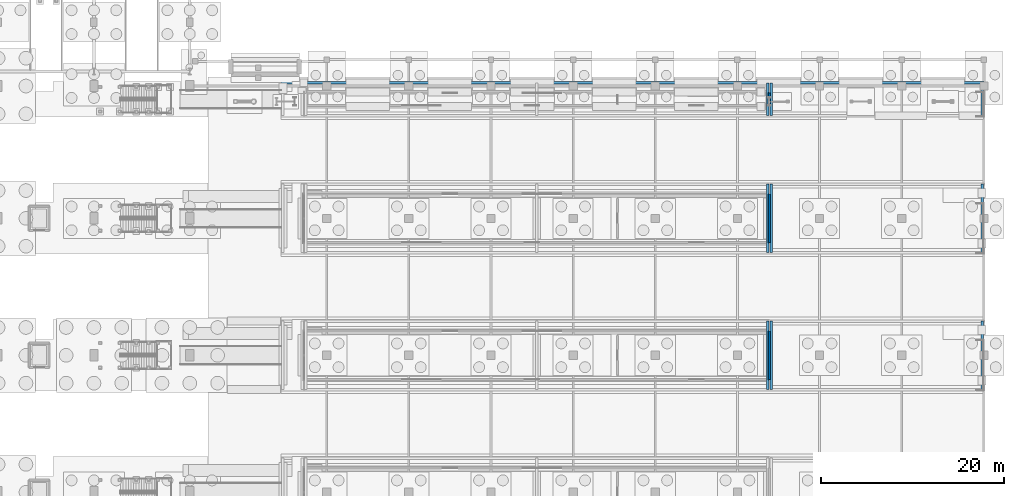
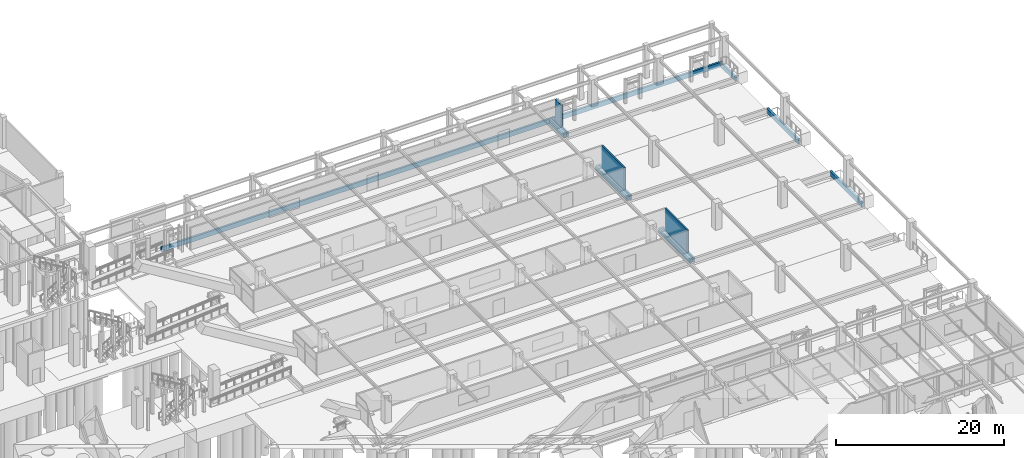
# One storey, part 113 of 160: 13 walls.
"""IFC4 building model written with IfcOpenShell, lengths in metres."""

import ifcopenshell
import ifcopenshell.guid

model = None  # the IFC model being written
_history = None  # IfcOwnerHistory: only IFC2X3 demands one
_inside = {}  # id of a spatial element -> (the spatial element, [elements in it])
_under = {}  # id of a project, library or spatial element -> (it, [spatial elements below it])
_declared = {}  # id of a project -> (the project, [libraries it declares])
_typed = {}  # id of a type object -> (the type object, [elements of that type])
_made_of = {}  # id of a material, layer set ... -> (it, [elements and type objects made of it])


def new_model(schema):
    """Start an empty IFC model of exactly this schema.

    Asked for "IFC4X3", IfcOpenShell would pick the latest addendum, in which some entities
    have other attributes; the version numbers below select the first issue.
    IFC2X3 requires an IfcOwnerHistory on every rooted entity: one is made here for all.
    """
    global model, _history
    if schema == "IFC4X3":
        model = ifcopenshell.file(schema_version=(4, 3, 0, 0))
    else:
        model = ifcopenshell.file(schema=schema)
    _inside.clear()
    _under.clear()
    _declared.clear()
    _typed.clear()
    _made_of.clear()
    _history = None
    if model.schema == "IFC2X3":
        org = make("IfcOrganization", Name="unknown")
        user = make(
            "IfcPersonAndOrganization",
            ThePerson=make("IfcPerson", FamilyName="unknown"),
            TheOrganization=org,
        )
        app = make(
            "IfcApplication",
            ApplicationDeveloper=org,
            Version="unknown",
            ApplicationFullName="unknown",
            ApplicationIdentifier="unknown",
        )
        _history = make(
            "IfcOwnerHistory",
            OwningUser=user,
            OwningApplication=app,
            ChangeAction="ADDED",
            CreationDate=0,
        )
    return model


def make(cls, **values):
    """One entity of the class cls with the attributes given. An attribute that is None is left unset."""
    return model.create_entity(
        cls, **{name: value for name, value in values.items() if value is not None}
    )


def rooted(cls, **values):
    """An entity with a GlobalId (a new one), such as an element, a storey or a relation."""
    return make(cls, GlobalId=ifcopenshell.guid.new(), OwnerHistory=_history, **values)


def si_unit(unit_type, name, prefix=None):
    """IfcSIUnit, for example si_unit("LENGTHUNIT", "METRE", prefix="MILLI")."""
    return make("IfcSIUnit", UnitType=unit_type, Prefix=prefix, Name=name)


def assignment(units):
    """IfcUnitAssignment: the units of a project."""
    return None if units is None else make("IfcUnitAssignment", Units=units)


def point(xyz):
    """IfcCartesianPoint."""
    return None if xyz is None else make("IfcCartesianPoint", Coordinates=xyz)


def direction(xyz):
    """IfcDirection."""
    return None if xyz is None else make("IfcDirection", DirectionRatios=xyz)


def frame(location, z_axis=None, x_axis=None):
    """IfcAxis2Placement3D, a coordinate frame: its origin and axes. An axis left out is left unset."""
    return make(
        "IfcAxis2Placement3D",
        Location=point(location),
        Axis=direction(z_axis),
        RefDirection=direction(x_axis),
    )


def frame_2d(location, x_axis=None):
    """IfcAxis2Placement2D, a coordinate frame in the plane: its origin and x axis."""
    return make(
        "IfcAxis2Placement2D", Location=point(location), RefDirection=direction(x_axis)
    )


def origin():
    """The frame at (0, 0, 0) with its axes left unset."""
    return frame((0.0, 0.0, 0.0))


def place(relative_to, where):
    """IfcLocalPlacement: puts the frame where relative to a parent placement (None: the world)."""
    return make(
        "IfcLocalPlacement", PlacementRelTo=relative_to, RelativePlacement=where
    )


def context(
    kind, dimensions, precision=None, world=None, true_north=None, identifier=None
):
    """IfcGeometricRepresentationContext, for example the 3D "Model" context."""
    return make(
        "IfcGeometricRepresentationContext",
        ContextIdentifier=identifier,
        ContextType=kind,
        CoordinateSpaceDimension=dimensions,
        Precision=precision,
        WorldCoordinateSystem=world,
        TrueNorth=true_north,
    )


def subcontext(parent, identifier, kind, view, scale=None):
    """IfcGeometricRepresentationSubContext, for example "Body" below "Model"."""
    return make(
        "IfcGeometricRepresentationSubContext",
        ContextIdentifier=identifier,
        ContextType=kind,
        ParentContext=parent,
        TargetScale=scale,
        TargetView=view,
    )


def project(units=None, contexts=None):
    """IfcProject with its units and contexts."""
    return rooted(
        "IfcProject",
        Name="project",
        RepresentationContexts=contexts,
        UnitsInContext=assignment(units),
    )


def spatial(cls, under=None, at=None, **own):
    """A site, building, storey or space (cls), placed at a placement, below another one or the project."""
    s = rooted(cls, ObjectPlacement=at, **own)
    if under is not None:
        _under.setdefault(under.id(), (under, []))[1].append(s)
    return s


def profile(cls, at=None, kind="AREA", **sizes):
    """A parametric profile (cls). Its sizes go by their IFC names, for example OverallWidth=200.0."""
    return make(cls, ProfileType=kind, Position=at, **sizes)


def rectangle(**sizes):
    """IfcRectangleProfileDef."""
    return profile("IfcRectangleProfileDef", **sizes)


def extrude(swept, where, along, depth):
    """IfcExtrudedAreaSolid: the profile swept, set in the frame where, extruded along a direction by depth."""
    return make(
        "IfcExtrudedAreaSolid",
        SweptArea=swept,
        Position=where,
        ExtrudedDirection=direction(along),
        Depth=depth,
    )


def shape(context_of_items, identifier, shape_type, items):
    """IfcShapeRepresentation: the items that make up one representation, for example the "Body"."""
    return make(
        "IfcShapeRepresentation",
        ContextOfItems=context_of_items,
        RepresentationIdentifier=identifier,
        RepresentationType=shape_type,
        Items=items,
    )


def material(Name=None, Category=None):
    """IfcMaterial."""
    return make("IfcMaterial", Name=Name, Category=Category)


def layer(
    of_material, thickness, ventilated=None, Name=None, Category=None, Priority=None
):
    """IfcMaterialLayer: one layer of a wall or slab, of a material (None: an air gap)."""
    return make(
        "IfcMaterialLayer",
        Material=of_material,
        LayerThickness=thickness,
        IsVentilated=ventilated,
        Name=Name,
        Category=Category,
        Priority=Priority,
    )


def layer_set(layers, Name=None):
    """IfcMaterialLayerSet."""
    return make("IfcMaterialLayerSet", MaterialLayers=layers, LayerSetName=Name)


def made_of(thing, what):
    """Note that an element or type object is made of a material, layer set ...; save() writes the relation."""
    if what is not None:
        _made_of.setdefault(what.id(), (what, []))[1].append(thing)
    return thing


def type_object(cls, material=None, **own):
    """A type object (cls), such as IfcWallType, which elements share."""
    return made_of(rooted(cls, **own), material)


def element(
    cls,
    number,
    at=None,
    inside=None,
    cuts=None,
    type_object=None,
    material=None,
    context=None,
    identifier="Body",
    shape_type=None,
    held_by="IfcProductDefinitionShape",
    body=None,
    shapes=None,
    **own,
):
    """One element of the class cls, such as IfcWall. Its Tag is "e" and its number.

    at: its placement. inside: the storey or other place that contains it. cuts: it is an
    opening in that element (IfcRelVoidsElement). A single representation is given by context,
    identifier, shape_type and body (its items); several are given by shapes. held_by: the class
    of the entity that holds the representations. save() writes the other relations.
    """
    e = rooted(cls, Tag="e%d" % number, ObjectPlacement=at, **own)
    if body is not None:
        shapes = [shape(context, identifier, shape_type, body)]
    if shapes is not None:
        e.Representation = make(held_by, Representations=shapes)
    if inside is not None:
        _inside.setdefault(inside.id(), (inside, []))[1].append(e)
    if cuts is not None:
        rooted(
            "IfcRelVoidsElement", RelatingBuildingElement=cuts, RelatedOpeningElement=e
        )
    if type_object is not None:
        _typed.setdefault(type_object.id(), (type_object, []))[1].append(e)
    return made_of(e, material)


def aggregate(whole, parts):
    """IfcRelAggregates: a whole, such as a stair, and the parts it consists of."""
    return rooted("IfcRelAggregates", RelatingObject=whole, RelatedObjects=parts)


def save(model, path):
    """Write the relations noted so far, then the file.

    IfcRelAggregates (storeys below a building ...), IfcRelContainedInSpatialStructure (elements
    in a storey), IfcRelDefinesByType, IfcRelAssociatesMaterial and IfcRelDeclares: one each for
    every whole, place, type object, material and project.
    """
    for whole, parts in _under.values():
        aggregate(whole, parts)
    for where, things in _inside.values():
        rooted(
            "IfcRelContainedInSpatialStructure",
            RelatedElements=things,
            RelatingStructure=where,
        )
    for kind, things in _typed.values():
        rooted("IfcRelDefinesByType", RelatedObjects=things, RelatingType=kind)
    for what, things in _made_of.values():
        rooted("IfcRelAssociatesMaterial", RelatedObjects=things, RelatingMaterial=what)
    for by, libraries in _declared.values():
        rooted("IfcRelDeclares", RelatingContext=by, RelatedDefinitions=libraries)
    model.write(path)


model = new_model("IFC4")

# Units and contexts
model_context = context("Model", 3, precision=1e-05, world=origin(), true_north=direction((0.0, 1.0)))
body_context = subcontext(model_context, "Body", "Model", "MODEL_VIEW")
ifc_project = project(units=[si_unit("LENGTHUNIT", "METRE"), si_unit("AREAUNIT", "SQUARE_METRE"), si_unit("VOLUMEUNIT", "CUBIC_METRE"), si_unit("PLANEANGLEUNIT", "RADIAN"), si_unit("MASSUNIT", "GRAM", prefix="KILO")], contexts=[model_context])

# Site, building, storey
site_placement = place(None, origin())
site = spatial("IfcSite", under=ifc_project, at=site_placement, CompositionType="ELEMENT")
building_placement = place(site_placement, origin())
building = spatial("IfcBuilding", under=site, at=building_placement, Name="Marlcrest Central Station", CompositionType="ELEMENT")
storey_placement = place(building_placement, origin())
storey = spatial("IfcBuildingStorey", under=building, at=storey_placement, Name="L00", CompositionType="ELEMENT", Elevation=0.0)

# Walls
ifc_material = material(Name="Concrete C35/45", Category="concrete")
ifc_layer_1 = layer(ifc_material, 0.2099609375, Name="EW-08")
ifc_layer_set_1 = layer_set([ifc_layer_1], Name="Concrete C35/45")
wall_type_1 = type_object("IfcWallType", Name="EW-08", PredefinedType="SOLIDWALL", material=ifc_layer_set_1)
for number, where, z_axis, x_axis, name in (
    (1, (192.5, 68.64990234375, 0.9150390625), (0.0, 0.0, 1.0), (0.0, -1.0, 0.0), "ewall-L00-0232"),
    (2, (192.5, 83.64990234375, 0.9150390625), (0.0, 0.0, 1.0), (0.0, -1.0, 0.0), "ewall-L00-0238"),
):
    element("IfcWall", number, at=place(storey_placement, frame(where, z_axis=z_axis, x_axis=x_axis)), inside=storey, type_object=wall_type_1, Name=name, PredefinedType="SOLIDWALL", context=body_context, shape_type="SweptSolid", body=[
        extrude(rectangle(XDim=5.2998046875, YDim=0.2099609375, at=frame_2d((2.64990234375, 0.0))), origin(), (0.0, 0.0, 1.0), 3.18505859375),
    ])
wall_1_placement = place(storey_placement, frame((192.5, 94.75, 0.9150390625), z_axis=(0.0, 0.0, 1.0), x_axis=(0.0, -1.0, 0.0)))
element("IfcWall", 3, at=wall_1_placement, inside=storey, type_object=wall_type_1, Name="ewall-L00-0244", PredefinedType="SOLIDWALL", context=body_context, shape_type="SweptSolid", body=[
    extrude(rectangle(XDim=1.39990234375, YDim=0.2099609375, at=frame_2d((0.699951171875, 0.0))), origin(), (0.0, 0.0, 1.0), 3.18505859375),
])
ifc_layer_2 = layer(ifc_material, 0.27490234375, Name="PW-01")
ifc_layer_set_2 = layer_set([ifc_layer_2], Name="Concrete C35/45")
wall_type_2 = type_object("IfcWallType", Name="PW-01", PredefinedType="SOLIDWALL", material=ifc_layer_set_2)
for number, where, z_axis, x_axis, name in (
    (4, (192.300048828125, 62.25, 0.0), (0.0, 0.0, 1.0), (0.0, 1.0, 0.0), "swall-L00-0118"),
    (5, (192.699951171875, 62.25, 0.0), (0.0, 0.0, 1.0), (0.0, 1.0, 0.0), "swall-L00-0119"),
    (6, (215.800048828125, 62.25, 0.0), (0.0, 0.0, 1.0), (0.0, 1.0, 0.0), "swall-L00-0120"),
    (7, (192.300048828125, 77.25, 0.0), (0.0, 0.0, 1.0), (0.0, 1.0, 0.0), "swall-L00-0140"),
    (8, (192.699951171875, 77.25, 0.0), (0.0, 0.0, 1.0), (0.0, 1.0, 0.0), "swall-L00-0141"),
    (9, (215.800048828125, 77.25, 0.0), (0.0, 0.0, 1.0), (0.0, 1.0, 0.0), "swall-L00-0142"),
):
    element("IfcWall", number, at=place(storey_placement, frame(where, z_axis=z_axis, x_axis=x_axis)), inside=storey, type_object=wall_type_2, Name=name, PredefinedType="SOLIDWALL", context=body_context, shape_type="SweptSolid", body=[
        extrude(rectangle(XDim=7.5, YDim=0.27490234375, at=frame_2d((3.75, 0.0))), origin(), (0.0, 0.0, 1.0), 0.675048828125),
    ])
wall_2_placement = place(storey_placement, frame((139.0, 95.85009765625, 0.0), z_axis=(0.0, 0.0, 1.0), x_axis=(1.0, 0.0, 0.0)))
element("IfcWall", 10, at=wall_2_placement, inside=storey, type_object=wall_type_2, Name="swall-L00-0155", PredefinedType="SOLIDWALL", context=body_context, shape_type="SweptSolid", body=[
    extrude(rectangle(XDim=77.0, YDim=0.27490234375, at=frame_2d((38.5, 0.0))), origin(), (0.0, 0.0, 1.0), 0.675048828125),
])
for number, where, z_axis, x_axis, name in (
    (11, (192.300048828125, 92.25, 0.0), (0.0, 0.0, 1.0), (0.0, 1.0, 0.0), "swall-L00-0162"),
    (12, (192.699951171875, 92.25, 0.0), (0.0, 0.0, 1.0), (0.0, 1.0, 0.0), "swall-L00-0163"),
    (13, (215.800048828125, 92.25, 0.0), (0.0, 0.0, 1.0), (0.0, 1.0, 0.0), "swall-L00-0164"),
):
    element("IfcWall", number, at=place(storey_placement, frame(where, z_axis=z_axis, x_axis=x_axis)), inside=storey, type_object=wall_type_2, Name=name, PredefinedType="SOLIDWALL", context=body_context, shape_type="SweptSolid", body=[
        extrude(rectangle(XDim=3.60009765625, YDim=0.27490234375, at=frame_2d((1.800048828125, 0.0))), origin(), (0.0, 0.0, 1.0), 0.675048828125),
    ])

save(model, "model.ifc")
